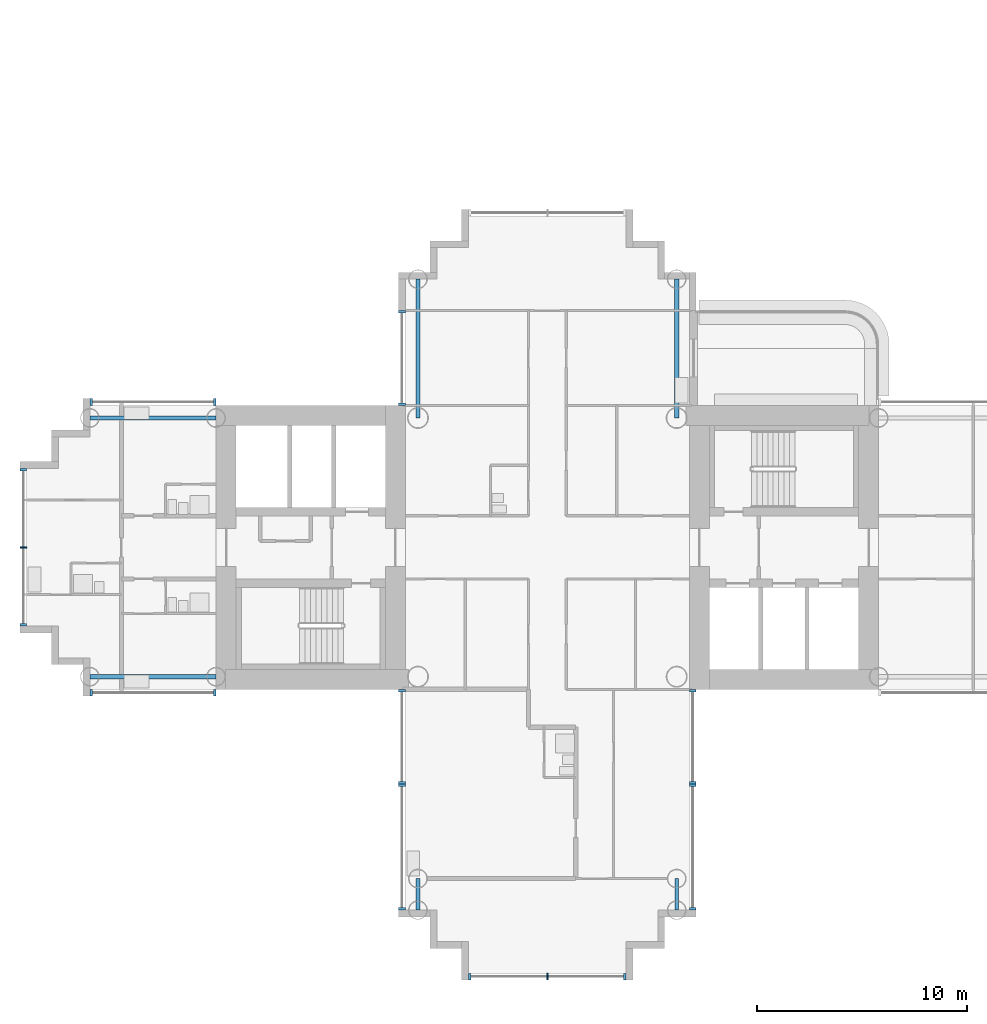
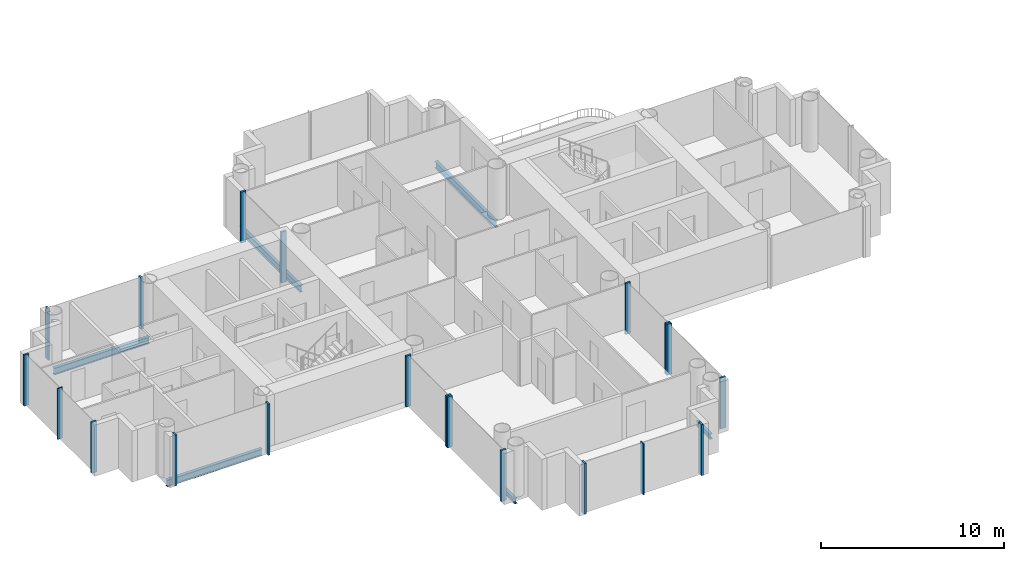
# One storey, part 3 of 21: 20 members, 6 beams, 9 elements without a shape of their own.
"""IFC4 building model written with IfcOpenShell, lengths in metres."""

from ifc_helpers import new_model, si_unit, direction, frame, origin, origin_2d, place, context, subcontext, project, spatial, rectangle, i_section, extrude, material, layer, layer_set, material_profile, profile_set, type_object, element, aggregate, save


model = new_model("IFC4")

# Units and contexts
model_context = context("Model", 3, precision=1e-05, world=origin(), true_north=direction((0.0, 1.0)))
body_context = subcontext(model_context, "Body", "Model", "MODEL_VIEW")
ifc_project = project(units=[si_unit("LENGTHUNIT", "METRE"), si_unit("AREAUNIT", "SQUARE_METRE"), si_unit("VOLUMEUNIT", "CUBIC_METRE"), si_unit("PLANEANGLEUNIT", "RADIAN"), si_unit("MASSUNIT", "GRAM", prefix="KILO")], contexts=[model_context])

# Site, building, storey
site_placement = place(None, origin())
site = spatial("IfcSite", under=ifc_project, at=site_placement, CompositionType="ELEMENT")
building_placement = place(site_placement, origin())
building = spatial("IfcBuilding", under=site, at=building_placement, Name="Ipe Terrace Towers", CompositionType="ELEMENT")
storey_placement = place(building_placement, frame((0.0, 0.0, 83.39990234375)))
storey = spatial("IfcBuildingStorey", under=building, at=storey_placement, Name="L22", CompositionType="ELEMENT", Elevation=83.39990234375)

# Beams
ifc_material_1 = material(Name="Steel S355", Category="steel")
ifc_material_profile_1 = material_profile(ifc_material_1, i_section(OverallWidth=0.175048828125, OverallDepth=0.35009765625, WebThickness=0.007080078125, FlangeThickness=0.010986328125, at=origin_2d()), Name="H-350x175x7x11")
ifc_profile_set_1 = profile_set([ifc_material_profile_1], Name="Steel S355")
beam_type_1 = type_object("IfcBeamType", Name="H04 EDGE BEAM H-350x175x7x11", PredefinedType="BEAM", material=ifc_profile_set_1)
for number, where, z_axis, x_axis, name in (
    (1, (-42.14990234375, -15.75, -0.574951171875), (0.0, -1.0, 0.0), (1.0, 0.0, 0.0), "Edge beam T1-EB-D03-D05"),
    (2, (-29.85009765625, -15.75, -0.574951171875), (0.0, -1.0, 0.0), (1.0, 0.0, 0.0), "Edge beam T1-EB-D04-D06"),
):
    element("IfcBeam", number, at=place(storey_placement, frame(where, z_axis=z_axis, x_axis=x_axis)), inside=storey, type_object=beam_type_1, Name=name, PredefinedType="BEAM", context=body_context, shape_type="SweptSolid", body=[
        extrude(i_section(OverallWidth=0.175048828125, OverallDepth=0.35009765625, WebThickness=0.007080078125, FlangeThickness=0.010986328125, at=origin_2d()), origin(), (0.0, 0.0, 1.0), 1.5),
    ])
ifc_material_2 = material(Name="Steel S355", Category="steel")
ifc_material_profile_2 = material_profile(ifc_material_2, i_section(OverallWidth=0.199951171875, OverallDepth=0.449951171875, WebThickness=0.009033203125, FlangeThickness=0.013916015625, at=origin_2d()), Name="H-450x200x9x14")
ifc_profile_set_2 = profile_set([ifc_material_profile_2], Name="Steel S355")
beam_type_2 = type_object("IfcBeamType", Name="H08 EDGE BEAM H-450x200x9x14", PredefinedType="BEAM", material=ifc_profile_set_2)
for number, where, z_axis, x_axis, name in (
    (3, (-29.85009765625, 12.75, -0.625), (0.0, -1.0, 0.0), (1.0, 0.0, 0.0), "Edge beam T1-EB-B01-E03"),
    (4, (-42.14990234375, 12.75, -0.625), (0.0, -1.0, 0.0), (1.0, 0.0, 0.0), "Edge beam T1-EB-B02-E04"),
):
    element("IfcBeam", number, at=place(storey_placement, frame(where, z_axis=z_axis, x_axis=x_axis)), inside=storey, type_object=beam_type_2, Name=name, PredefinedType="BEAM", context=body_context, shape_type="SweptSolid", body=[
        extrude(i_section(OverallWidth=0.199951171875, OverallDepth=0.449951171875, WebThickness=0.009033203125, FlangeThickness=0.013916015625, at=origin_2d()), origin(), (0.0, 0.0, 1.0), 6.60009765625),
    ])
for number, where, z_axis, x_axis, name in (
    (5, (-51.75, -6.14990234375, -0.625), (-1.0, 0.0, 0.0), (0.0, -1.0, 0.0), "Edge beam T1-EB-C01-C03"),
    (6, (-51.75, 6.14990234375, -0.625), (-1.0, 0.0, 0.0), (0.0, -1.0, 0.0), "Edge beam T1-EB-C02-C04"),
):
    element("IfcBeam", number, at=place(storey_placement, frame(where, z_axis=z_axis, x_axis=x_axis)), inside=storey, type_object=beam_type_2, Name=name, PredefinedType="BEAM", context=body_context, shape_type="SweptSolid", body=[
        extrude(i_section(OverallWidth=0.199951171875, OverallDepth=0.449951171875, WebThickness=0.009033203125, FlangeThickness=0.013916015625, at=origin_2d()), origin(), (0.0, 0.0, 1.0), 6.0),
    ])

# Curtain wall, members
ifc_material_3 = material(Name="Aluminium alloy 6063-T6", Category="aluminium")
ifc_layer = layer(ifc_material_3, 0.320068359375)
ifc_layer_set = layer_set([ifc_layer], Name="TOWER UNITISED CURTAIN WALL")
curtain_wall_type = type_object("IfcCurtainWallType", Name="TOWER UNITISED CURTAIN WALL", PredefinedType="NOTDEFINED", material=ifc_layer_set)
curtain_wall_1_placement = place(storey_placement, origin())
curtain_wall_1 = element("IfcCurtainWall", 7, at=curtain_wall_1_placement, inside=storey, type_object=curtain_wall_type, Name="T1-CW-L22-04a curtain wall", PredefinedType="NOTDEFINED")
ifc_material_4 = material(Name="Aluminium alloy 6063-T6", Category="aluminium")
ifc_material_profile_3 = material_profile(ifc_material_4, rectangle(XDim=0.320068359375, YDim=0.1201171875, at=origin_2d()), Name="TOWER UNITISED CORNER MULLION 320 x 120")
ifc_profile_set_3 = profile_set([ifc_material_profile_3], Name="Aluminium alloy 6063-T6")
member_type_1 = type_object("IfcMemberType", Name="TOWER UNITISED CORNER MULLION 320 x 120", PredefinedType="MULLION", material=ifc_profile_set_3)
member_1_placement = place(storey_placement, frame((-57.68994140625, -6.909912109375, -0.2998046875), z_axis=(0.0, 0.0, 1.0), x_axis=(0.0, -1.0, 0.0)))
member_1 = element("IfcMember", 8, at=member_1_placement, type_object=member_type_1, Name="T1-CW-L22-04a mullion 1", PredefinedType="MULLION", context=body_context, shape_type="SweptSolid", body=[
    extrude(rectangle(XDim=0.320068359375, YDim=0.1201171875, at=origin_2d()), origin(), (0.0, 0.0, 1.0), 3.39990234375),
])
member_2_placement = place(storey_placement, frame((-51.81103515625, -6.909912109375, -0.2998046875), z_axis=(0.0, 0.0, 1.0), x_axis=(0.0, -1.0, 0.0)))
member_2 = element("IfcMember", 9, at=member_2_placement, type_object=member_type_1, Name="T1-CW-L22-04a mullion 2", PredefinedType="MULLION", context=body_context, shape_type="SweptSolid", body=[
    extrude(rectangle(XDim=0.320068359375, YDim=0.1201171875, at=origin_2d()), origin(), (0.0, 0.0, 1.0), 3.39990234375),
])
aggregate(curtain_wall_1, [member_1, member_2])

curtain_wall_2_placement = place(storey_placement, origin())
curtain_wall_2 = element("IfcCurtainWall", 10, at=curtain_wall_2_placement, inside=storey, type_object=curtain_wall_type, Name="T1-CW-L22-06a curtain wall", PredefinedType="NOTDEFINED")
member_3_placement = place(storey_placement, frame((-42.909912109375, -6.81005859375, -0.2998046875), z_axis=(0.0, 0.0, 1.0), x_axis=(-1.0, 0.0, 0.0)))
member_3 = element("IfcMember", 11, at=member_3_placement, type_object=member_type_1, Name="T1-CW-L22-06a mullion 1", PredefinedType="MULLION", context=body_context, shape_type="SweptSolid", body=[
    extrude(rectangle(XDim=0.320068359375, YDim=0.1201171875, at=origin_2d()), origin(), (0.0, 0.0, 1.0), 3.39990234375),
])
member_4_placement = place(storey_placement, frame((-42.909912109375, -11.18994140625, -0.2998046875), z_axis=(0.0, 0.0, 1.0), x_axis=(-1.0, 0.0, 0.0)))
member_4 = element("IfcMember", 12, at=member_4_placement, type_object=member_type_1, Name="T1-CW-L22-06a mullion 2", PredefinedType="MULLION", context=body_context, shape_type="SweptSolid", body=[
    extrude(rectangle(XDim=0.320068359375, YDim=0.1201171875, at=origin_2d()), origin(), (0.0, 0.0, 1.0), 3.39990234375),
])
aggregate(curtain_wall_2, [member_3, member_4])

curtain_wall_3_placement = place(storey_placement, origin())
curtain_wall_3 = element("IfcCurtainWall", 13, at=curtain_wall_3_placement, inside=storey, type_object=curtain_wall_type, Name="T1-CW-L22-07a curtain wall", PredefinedType="NOTDEFINED")
member_5_placement = place(storey_placement, frame((-42.909912109375, -11.31005859375, -0.2998046875), z_axis=(0.0, 0.0, 1.0), x_axis=(-1.0, 0.0, 0.0)))
member_5 = element("IfcMember", 14, at=member_5_placement, type_object=member_type_1, Name="T1-CW-L22-07a mullion 1", PredefinedType="MULLION", context=body_context, shape_type="SweptSolid", body=[
    extrude(rectangle(XDim=0.320068359375, YDim=0.1201171875, at=origin_2d()), origin(), (0.0, 0.0, 1.0), 3.39990234375),
])
member_6_placement = place(storey_placement, frame((-42.909912109375, -17.18994140625, -0.2998046875), z_axis=(0.0, 0.0, 1.0), x_axis=(-1.0, 0.0, 0.0)))
member_6 = element("IfcMember", 15, at=member_6_placement, type_object=member_type_1, Name="T1-CW-L22-07a mullion 2", PredefinedType="MULLION", context=body_context, shape_type="SweptSolid", body=[
    extrude(rectangle(XDim=0.320068359375, YDim=0.1201171875, at=origin_2d()), origin(), (0.0, 0.0, 1.0), 3.39990234375),
])
aggregate(curtain_wall_3, [member_5, member_6])

curtain_wall_4_placement = place(storey_placement, origin())
curtain_wall_4 = element("IfcCurtainWall", 16, at=curtain_wall_4_placement, inside=storey, type_object=curtain_wall_type, Name="T1-CW-L22-12a curtain wall", PredefinedType="NOTDEFINED")
member_7_placement = place(storey_placement, frame((-39.68994140625, -20.409912109375, -0.2998046875), z_axis=(0.0, 0.0, 1.0), x_axis=(0.0, -1.0, 0.0)))
member_7 = element("IfcMember", 17, at=member_7_placement, type_object=member_type_1, Name="T1-CW-L22-12a mullion 1", PredefinedType="MULLION", context=body_context, shape_type="SweptSolid", body=[
    extrude(rectangle(XDim=0.320068359375, YDim=0.1201171875, at=origin_2d()), origin(), (0.0, 0.0, 1.0), 3.39990234375),
])
member_8_placement = place(storey_placement, frame((-32.31005859375, -20.409912109375, -0.2998046875), z_axis=(0.0, 0.0, 1.0), x_axis=(0.0, -1.0, 0.0)))
member_8 = element("IfcMember", 18, at=member_8_placement, type_object=member_type_1, Name="T1-CW-L22-12a mullion 3", PredefinedType="MULLION", context=body_context, shape_type="SweptSolid", body=[
    extrude(rectangle(XDim=0.320068359375, YDim=0.1201171875, at=origin_2d()), origin(), (0.0, 0.0, 1.0), 3.39990234375),
])

curtain_wall_5_placement = place(storey_placement, origin())
curtain_wall_5 = element("IfcCurtainWall", 19, at=curtain_wall_5_placement, inside=storey, type_object=curtain_wall_type, Name="T1-CW-L22-17a curtain wall", PredefinedType="NOTDEFINED")
member_9_placement = place(storey_placement, frame((-29.090087890625, -17.18994140625, -0.2998046875), z_axis=(0.0, 0.0, 1.0), x_axis=(1.0, 0.0, 0.0)))
member_9 = element("IfcMember", 20, at=member_9_placement, type_object=member_type_1, Name="T1-CW-L22-17a mullion 1", PredefinedType="MULLION", context=body_context, shape_type="SweptSolid", body=[
    extrude(rectangle(XDim=0.320068359375, YDim=0.1201171875, at=origin_2d()), origin(), (0.0, 0.0, 1.0), 3.39990234375),
])
member_10_placement = place(storey_placement, frame((-29.090087890625, -11.31005859375, -0.2998046875), z_axis=(0.0, 0.0, 1.0), x_axis=(1.0, 0.0, 0.0)))
member_10 = element("IfcMember", 21, at=member_10_placement, type_object=member_type_1, Name="T1-CW-L22-17a mullion 2", PredefinedType="MULLION", context=body_context, shape_type="SweptSolid", body=[
    extrude(rectangle(XDim=0.320068359375, YDim=0.1201171875, at=origin_2d()), origin(), (0.0, 0.0, 1.0), 3.39990234375),
])
aggregate(curtain_wall_5, [member_9, member_10])

curtain_wall_6_placement = place(storey_placement, origin())
curtain_wall_6 = element("IfcCurtainWall", 22, at=curtain_wall_6_placement, inside=storey, type_object=curtain_wall_type, Name="T1-CW-L22-18a curtain wall", PredefinedType="NOTDEFINED")
member_11_placement = place(storey_placement, frame((-29.090087890625, -11.18994140625, -0.2998046875), z_axis=(0.0, 0.0, 1.0), x_axis=(1.0, 0.0, 0.0)))
member_11 = element("IfcMember", 23, at=member_11_placement, type_object=member_type_1, Name="T1-CW-L22-18a mullion 1", PredefinedType="MULLION", context=body_context, shape_type="SweptSolid", body=[
    extrude(rectangle(XDim=0.320068359375, YDim=0.1201171875, at=origin_2d()), origin(), (0.0, 0.0, 1.0), 3.39990234375),
])
member_12_placement = place(storey_placement, frame((-29.090087890625, -6.81005859375, -0.2998046875), z_axis=(0.0, 0.0, 1.0), x_axis=(1.0, 0.0, 0.0)))
member_12 = element("IfcMember", 24, at=member_12_placement, type_object=member_type_1, Name="T1-CW-L22-18a mullion 2", PredefinedType="MULLION", context=body_context, shape_type="SweptSolid", body=[
    extrude(rectangle(XDim=0.320068359375, YDim=0.1201171875, at=origin_2d()), origin(), (0.0, 0.0, 1.0), 3.39990234375),
])
aggregate(curtain_wall_6, [member_11, member_12])

curtain_wall_7_placement = place(storey_placement, origin())
curtain_wall_7 = element("IfcCurtainWall", 25, at=curtain_wall_7_placement, inside=storey, type_object=curtain_wall_type, Name="T1-CW-L22-44a curtain wall", PredefinedType="NOTDEFINED")
member_13_placement = place(storey_placement, frame((-42.909912109375, 11.18994140625, -0.2998046875), z_axis=(0.0, 0.0, 1.0), x_axis=(-1.0, 0.0, 0.0)))
member_13 = element("IfcMember", 26, at=member_13_placement, type_object=member_type_1, Name="T1-CW-L22-44a mullion 1", PredefinedType="MULLION", context=body_context, shape_type="SweptSolid", body=[
    extrude(rectangle(XDim=0.320068359375, YDim=0.1201171875, at=origin_2d()), origin(), (0.0, 0.0, 1.0), 3.39990234375),
])
member_14_placement = place(storey_placement, frame((-42.909912109375, 6.81005859375, -0.2998046875), z_axis=(0.0, 0.0, 1.0), x_axis=(-1.0, 0.0, 0.0)))
member_14 = element("IfcMember", 27, at=member_14_placement, type_object=member_type_1, Name="T1-CW-L22-44a mullion 2", PredefinedType="MULLION", context=body_context, shape_type="SweptSolid", body=[
    extrude(rectangle(XDim=0.320068359375, YDim=0.1201171875, at=origin_2d()), origin(), (0.0, 0.0, 1.0), 3.39990234375),
])
aggregate(curtain_wall_7, [member_13, member_14])

curtain_wall_8_placement = place(storey_placement, origin())
curtain_wall_8 = element("IfcCurtainWall", 28, at=curtain_wall_8_placement, inside=storey, type_object=curtain_wall_type, Name="T1-CW-L22-46b curtain wall", PredefinedType="NOTDEFINED")
member_15_placement = place(storey_placement, frame((-51.81103515625, 6.909912109375, -0.2998046875), z_axis=(0.0, 0.0, 1.0), x_axis=(0.0, 1.0, 0.0)))
member_15 = element("IfcMember", 29, at=member_15_placement, type_object=member_type_1, Name="T1-CW-L22-46b mullion 1", PredefinedType="MULLION", context=body_context, shape_type="SweptSolid", body=[
    extrude(rectangle(XDim=0.320068359375, YDim=0.1201171875, at=origin_2d()), origin(), (0.0, 0.0, 1.0), 3.39990234375),
])
member_16_placement = place(storey_placement, frame((-57.68994140625, 6.909912109375, -0.2998046875), z_axis=(0.0, 0.0, 1.0), x_axis=(0.0, 1.0, 0.0)))
member_16 = element("IfcMember", 30, at=member_16_placement, type_object=member_type_1, Name="T1-CW-L22-46b mullion 2", PredefinedType="MULLION", context=body_context, shape_type="SweptSolid", body=[
    extrude(rectangle(XDim=0.320068359375, YDim=0.1201171875, at=origin_2d()), origin(), (0.0, 0.0, 1.0), 3.39990234375),
])
aggregate(curtain_wall_8, [member_15, member_16])

curtain_wall_9_placement = place(storey_placement, origin())
curtain_wall_9 = element("IfcCurtainWall", 31, at=curtain_wall_9_placement, inside=storey, type_object=curtain_wall_type, Name="T1-CW-L22-51a curtain wall", PredefinedType="NOTDEFINED")
member_17_placement = place(storey_placement, frame((-60.909912109375, 3.68994140625, -0.2998046875), z_axis=(0.0, 0.0, 1.0), x_axis=(-1.0, 0.0, 0.0)))
member_17 = element("IfcMember", 32, at=member_17_placement, type_object=member_type_1, Name="T1-CW-L22-51a mullion 1", PredefinedType="MULLION", context=body_context, shape_type="SweptSolid", body=[
    extrude(rectangle(XDim=0.320068359375, YDim=0.1201171875, at=origin_2d()), origin(), (0.0, 0.0, 1.0), 3.39990234375),
])
member_18_placement = place(storey_placement, frame((-60.909912109375, -3.68994140625, -0.2998046875), z_axis=(0.0, 0.0, 1.0), x_axis=(-1.0, 0.0, 0.0)))
member_18 = element("IfcMember", 33, at=member_18_placement, type_object=member_type_1, Name="T1-CW-L22-51a mullion 3", PredefinedType="MULLION", context=body_context, shape_type="SweptSolid", body=[
    extrude(rectangle(XDim=0.320068359375, YDim=0.1201171875, at=origin_2d()), origin(), (0.0, 0.0, 1.0), 3.39990234375),
])

# Member
ifc_material_5 = material(Name="Aluminium alloy 6063-T6", Category="aluminium")
ifc_material_profile_4 = material_profile(ifc_material_5, rectangle(XDim=0.320068359375, YDim=0.06494140625, at=origin_2d()), Name="TOWER UNITISED MULLION 320 x 65")
ifc_profile_set_4 = profile_set([ifc_material_profile_4], Name="Aluminium alloy 6063-T6")
member_type_2 = type_object("IfcMemberType", Name="TOWER UNITISED MULLION 320 x 65", PredefinedType="MULLION", material=ifc_profile_set_4)
member_19_placement = place(storey_placement, frame((-36.0, -20.409912109375, -0.2998046875), z_axis=(0.0, 0.0, 1.0), x_axis=(0.0, -1.0, 0.0)))
member_19 = element("IfcMember", 34, at=member_19_placement, type_object=member_type_2, Name="T1-CW-L22-12a mullion 2", PredefinedType="MULLION", context=body_context, shape_type="SweptSolid", body=[
    extrude(rectangle(XDim=0.320068359375, YDim=0.06494140625, at=origin_2d()), origin(), (0.0, 0.0, 1.0), 3.39990234375),
])

aggregate(curtain_wall_4, [member_7, member_19, member_8])

member_20_placement = place(storey_placement, frame((-60.909912109375, 0.0, -0.2998046875), z_axis=(0.0, 0.0, 1.0), x_axis=(-1.0, 0.0, 0.0)))
member_20 = element("IfcMember", 35, at=member_20_placement, type_object=member_type_2, Name="T1-CW-L22-51a mullion 2", PredefinedType="MULLION", context=body_context, shape_type="SweptSolid", body=[
    extrude(rectangle(XDim=0.320068359375, YDim=0.06494140625, at=origin_2d()), origin(), (0.0, 0.0, 1.0), 3.39990234375),
])

aggregate(curtain_wall_9, [member_17, member_20, member_18])

save(model, "model.ifc")
